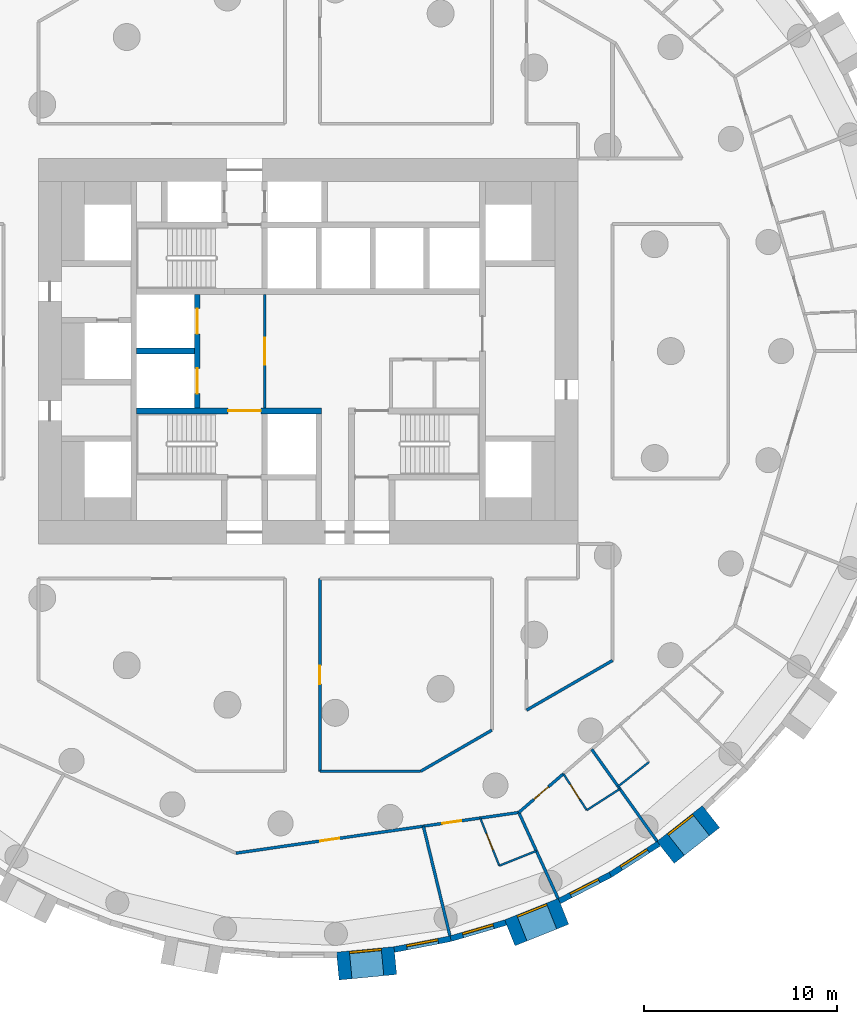
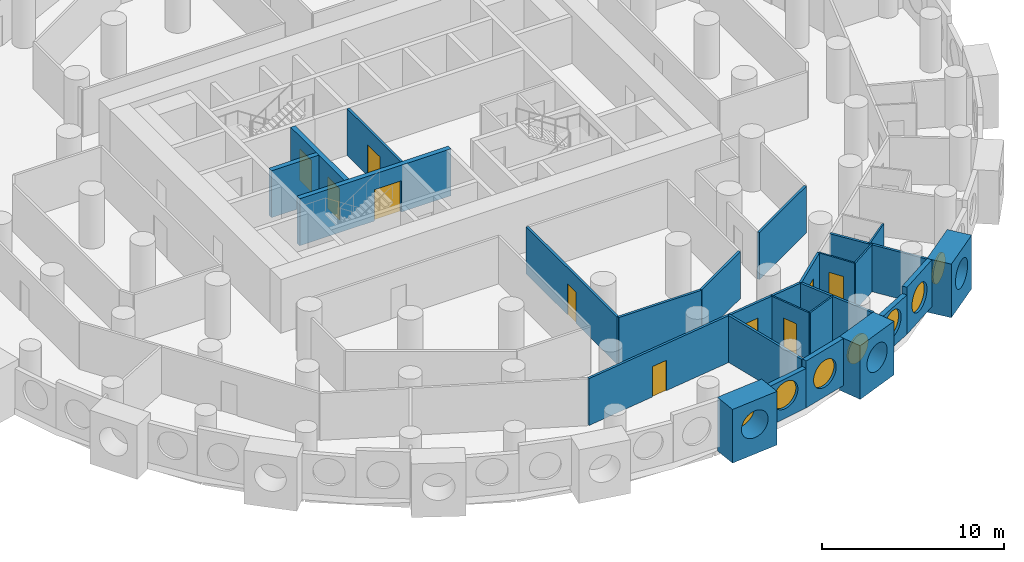
# One storey, part 4 of 12: 25 walls, 10 doors, 7 windows, 17 openings.
"""IFC4 building model written with IfcOpenShell, lengths in metres."""

from ifc_helpers import new_model, si_unit, direction, frame, frame_2d, origin, origin_2d, place, context, subcontext, project, spatial, rectangle, circle, extrude, material, layer, layer_set, type_object, element, fill, save


model = new_model("IFC4")

# Units and contexts
model_context = context("Model", 3, precision=1e-05, world=origin(), true_north=direction((0.0, 1.0)))
body_context = subcontext(model_context, "Body", "Model", "MODEL_VIEW")
ifc_project = project(units=[si_unit("LENGTHUNIT", "METRE"), si_unit("AREAUNIT", "SQUARE_METRE"), si_unit("VOLUMEUNIT", "CUBIC_METRE"), si_unit("PLANEANGLEUNIT", "RADIAN"), si_unit("MASSUNIT", "GRAM", prefix="KILO")], contexts=[model_context])

# Site, building, storey
site_placement = place(None, origin())
site = spatial("IfcSite", under=ifc_project, at=site_placement, CompositionType="ELEMENT")
building_placement = place(site_placement, origin())
building = spatial("IfcBuilding", under=site, at=building_placement, Name="Tracery Tower", CompositionType="ELEMENT")
storey_placement = place(building_placement, frame((0.0, 0.0, 78.60009765625)))
storey = spatial("IfcBuildingStorey", under=building, at=storey_placement, Name="L19", CompositionType="ELEMENT", Elevation=78.60009765625)

# Wall, opening, door
ifc_material_1 = material(Name="Plasterboard on steel studs", Category="steel")
ifc_layer_1 = layer(ifc_material_1, 0.14990234375)
ifc_layer_set_1 = layer_set([ifc_layer_1], Name="Core lobby partition 150")
wall_type_1 = type_object("IfcWallType", Name="Core lobby partition 150", PredefinedType="SOLIDWALL", material=ifc_layer_set_1)
wall_1_placement = place(storey_placement, frame((-2.25, -2.949951171875, 0.0), z_axis=(0.0, 0.0, 1.0), x_axis=(0.0, 1.0, 0.0)))
wall_1 = element("IfcWall", 1, at=wall_1_placement, inside=storey, type_object=wall_type_1, Name="L19 FF lobby E", PredefinedType="SOLIDWALL", context=body_context, shape_type="SweptSolid", body=[
    extrude(rectangle(XDim=5.89990234375, YDim=0.14990234375, at=frame_2d((2.949951171875, 0.0))), origin(), (0.0, 0.0, 1.0), 3.14990234375),
])
opening_1_placement = place(wall_1_placement, frame((2.25, 0.0, 0.0)))
opening_1 = element("IfcOpeningElement", 2, at=opening_1_placement, cuts=wall_1, Name="Opening KD8", PredefinedType="OPENING", context=body_context, shape_type="SweptSolid", body=[
    extrude(rectangle(XDim=1.39990234375, YDim=2.10009765625, at=frame_2d((0.699951171875, 1.050048828125))), frame((0.0, 0.074951171875, 0.0), z_axis=(0.0, -1.0, 0.0), x_axis=(1.0, 0.0, 0.0)), (0.0, 0.0, 1.0), 0.14990234375),
])
ifc_material_2 = material(Name="Steel fire door", Category="steel")
door_type_1 = type_object("IfcDoorType", Name="Core lobby door 1400 double", OperationType="NOTDEFINED", PredefinedType="DOOR", material=ifc_material_2)
door_1_placement = place(opening_1_placement, origin())
door_1 = element("IfcDoor", 3, at=door_1_placement, inside=storey, type_object=door_type_1, Name="Fire-fighting lobby door", OperationType="DOUBLE_DOOR_SINGLE_SWING", OverallHeight=2.10009765625, OverallWidth=1.39990234375, PredefinedType="DOOR", context=body_context, shape_type="SweptSolid", body=[
    extrude(rectangle(XDim=1.39990234375, YDim=2.10009765625, at=frame_2d((0.699951171875, 1.050048828125))), frame((0.0, 0.02490234375, 0.0), z_axis=(0.0, -1.0, 0.0), x_axis=(1.0, 0.0, 0.0)), (0.0, 0.0, 1.0), 0.050048828125),
])
fill(opening_1, door_1)

# Wall, opening, window
ifc_material_3 = material(Name="Precast concrete C50/60", Category="concrete")
ifc_layer_2 = layer(ifc_material_3, 1.449951171875)
ifc_layer_set_2 = layer_set([ifc_layer_2], Name="Deep-set bay unit 3000 x 3600, slab edge 450")
wall_type_2 = type_object("IfcWallType", Name="Deep-set bay unit 3000 x 3600, slab edge 450", PredefinedType="ELEMENTEDWALL", material=ifc_layer_set_2)
wall_2_placement = place(storey_placement, frame((1.540283203125, -31.911865234375, -0.4501953125), z_axis=(0.0, 0.0, 1.0), x_axis=(0.995472768558, 0.09504718333, 0.0)))
wall_2 = element("IfcWall", 4, at=wall_2_placement, inside=storey, type_object=wall_type_2, Name="Deep-set bay unit 51 at L19", PredefinedType="ELEMENTEDWALL", context=body_context, shape_type="SweptSolid", body=[
    extrude(rectangle(XDim=3.000244140625, YDim=1.449951171875, at=frame_2d((1.5, 0.0))), origin(), (0.0, 0.0, 1.0), 3.60009765625),
])
opening_2_placement = place(wall_2_placement, frame((1.5, 0.0, 2.0)))
opening_2 = element("IfcOpeningElement", 5, at=opening_2_placement, cuts=wall_2, Name="Opening WN1", PredefinedType="OPENING", context=body_context, shape_type="SweptSolid", body=[
    extrude(circle(Radius=0.9000244140625, at=origin_2d()), frame((0.0, 0.73486328125, 0.0), z_axis=(0.0, -1.0, 0.0), x_axis=(1.0, 0.0, 0.0)), (0.0, 0.0, 1.0), 1.469970703125),
])
ifc_material_4 = material(Name="Aluminium frame with tinted double glazing", Category="aluminium")
window_type = type_object("IfcWindowType", Name="Round window 1800", PartitioningType="SINGLE_PANEL", PredefinedType="WINDOW", material=ifc_material_4)
window_1_placement = place(opening_2_placement, origin())
window_1 = element("IfcWindow", 6, at=window_1_placement, inside=storey, type_object=window_type, Name="Round window 51 at L19", OverallHeight=1.800048828125, OverallWidth=1.800048828125, PartitioningType="SINGLE_PANEL", PredefinedType="WINDOW", context=body_context, shape_type="SweptSolid", body=[
    extrude(circle(Radius=0.9000244140625, at=origin_2d()), frame((0.0, 0.69482421875, 0.0), z_axis=(0.0, -1.0, 0.0), x_axis=(1.0, 0.0, 0.0)), (0.0, 0.0, 1.0), 0.10009765625),
])
fill(opening_2, window_1)

wall_3_placement = place(storey_placement, frame((10.46875, -30.185302734375, -0.4501953125), z_axis=(0.0, 0.0, 1.0), x_axis=(0.928358776184, 0.371685327504, 0.0)))
wall_3 = element("IfcWall", 7, at=wall_3_placement, inside=storey, type_object=wall_type_2, Name="Deep-set bay unit 54 at L19", PredefinedType="ELEMENTEDWALL", context=body_context, shape_type="SweptSolid", body=[
    extrude(rectangle(XDim=2.999755859375, YDim=1.449951171875, at=frame_2d((1.5, 0.0))), origin(), (0.0, 0.0, 1.0), 3.60009765625),
])
opening_3_placement = place(wall_3_placement, frame((1.5, 0.0, 2.0)))
opening_3 = element("IfcOpeningElement", 8, at=opening_3_placement, cuts=wall_3, Name="Opening WN1", PredefinedType="OPENING", context=body_context, shape_type="SweptSolid", body=[
    extrude(circle(Radius=0.9000244140625, at=origin_2d()), frame((0.0, 0.73486328125, 0.0), z_axis=(0.0, -1.0, 0.0), x_axis=(1.0, 0.0, 0.0)), (0.0, 0.0, 1.0), 1.469970703125),
])
window_2_placement = place(opening_3_placement, origin())
window_2 = element("IfcWindow", 9, at=window_2_placement, inside=storey, type_object=window_type, Name="Round window 54 at L19", OverallHeight=1.800048828125, OverallWidth=1.800048828125, PartitioningType="SINGLE_PANEL", PredefinedType="WINDOW", context=body_context, shape_type="SweptSolid", body=[
    extrude(circle(Radius=0.9000244140625, at=origin_2d()), frame((0.0, 0.69482421875, 0.0), z_axis=(0.0, -1.0, 0.0), x_axis=(1.0, 0.0, 0.0)), (0.0, 0.0, 1.0), 0.10009765625),
])
fill(opening_3, window_2)

wall_4_placement = place(storey_placement, frame((18.548828125, -26.01318359375, -0.4501953125), z_axis=(0.0, 0.0, 1.0), x_axis=(0.786049992888, 0.618162930529, 0.0)))
wall_4 = element("IfcWall", 10, at=wall_4_placement, inside=storey, type_object=wall_type_2, Name="Deep-set bay unit 57 at L19", PredefinedType="ELEMENTEDWALL", context=body_context, shape_type="SweptSolid", body=[
    extrude(rectangle(XDim=3.0, YDim=1.449951171875, at=frame_2d((1.5, 0.0))), origin(), (0.0, 0.0, 1.0), 3.60009765625),
])
opening_4_placement = place(wall_4_placement, frame((1.5, 0.0, 2.0)))
opening_4 = element("IfcOpeningElement", 11, at=opening_4_placement, cuts=wall_4, Name="Opening WN1", PredefinedType="OPENING", context=body_context, shape_type="SweptSolid", body=[
    extrude(circle(Radius=0.9000244140625, at=origin_2d()), frame((0.0, 0.73486328125, 0.0), z_axis=(0.0, -1.0, 0.0), x_axis=(1.0, 0.0, 0.0)), (0.0, 0.0, 1.0), 1.469970703125),
])
window_3_placement = place(opening_4_placement, origin())
window_3 = element("IfcWindow", 12, at=window_3_placement, inside=storey, type_object=window_type, Name="Round window 57 at L19", OverallHeight=1.800048828125, OverallWidth=1.800048828125, PartitioningType="SINGLE_PANEL", PredefinedType="WINDOW", context=body_context, shape_type="SweptSolid", body=[
    extrude(circle(Radius=0.9000244140625, at=origin_2d()), frame((0.0, 0.69482421875, 0.0), z_axis=(0.0, -1.0, 0.0), x_axis=(1.0, 0.0, 0.0)), (0.0, 0.0, 1.0), 0.10009765625),
])
fill(opening_4, window_3)

ifc_material_5 = material(Name="Precast concrete C50/60", Category="concrete")
ifc_layer_3 = layer(ifc_material_5, 0.300048828125)
ifc_layer_set_3 = layer_set([ifc_layer_3], Name="Facade panel 3000 x 2650")
wall_type_3 = type_object("IfcWallType", Name="Facade panel 3000 x 2650", PredefinedType="SOLIDWALL", material=ifc_layer_set_3)
wall_5_placement = place(storey_placement, frame((4.470947265625, -31.053955078125, 0.0), z_axis=(0.0, 0.0, 1.0), x_axis=(0.981924535406, 0.189272836848, 0.0)))
wall_5 = element("IfcWall", 13, at=wall_5_placement, inside=storey, type_object=wall_type_3, Name="Facade panel 52 at L19", PredefinedType="SOLIDWALL", context=body_context, shape_type="SweptSolid", body=[
    extrude(rectangle(XDim=2.979736328125, YDim=0.300048828125, at=frame_2d((1.48974609375, 0.0))), origin(), (0.0, 0.0, 1.0), 2.64990234375),
])
opening_5_placement = place(wall_5_placement, frame((1.48974609375, 0.0, 1.5498046875)))
opening_5 = element("IfcOpeningElement", 14, at=opening_5_placement, cuts=wall_5, Name="Opening WN1", PredefinedType="OPENING", context=body_context, shape_type="SweptSolid", body=[
    extrude(circle(Radius=0.9000244140625, at=origin_2d()), frame((0.0, 0.159912109375, 0.0), z_axis=(0.0, -1.0, 0.0), x_axis=(1.0, 0.0, 0.0)), (0.0, 0.0, 1.0), 0.320068359375),
])
window_4_placement = place(opening_5_placement, origin())
window_4 = element("IfcWindow", 15, at=window_4_placement, inside=storey, type_object=window_type, Name="Round window 52 at L19", OverallHeight=1.800048828125, OverallWidth=1.800048828125, PartitioningType="SINGLE_PANEL", PredefinedType="WINDOW", context=body_context, shape_type="SweptSolid", body=[
    extrude(circle(Radius=0.9000244140625, at=origin_2d()), frame((0.0, 0.1201171875, 0.0), z_axis=(0.0, -1.0, 0.0), x_axis=(1.0, 0.0, 0.0)), (0.0, 0.0, 1.0), 0.10009765625),
])
fill(opening_5, window_4)

wall_6_placement = place(storey_placement, frame((13.038818359375, -28.536376953125, 0.0), z_axis=(0.0, 0.0, 1.0), x_axis=(0.888853225096, 0.4581920386, 0.0)))
wall_6 = element("IfcWall", 16, at=wall_6_placement, inside=storey, type_object=wall_type_3, Name="Facade panel 55 at L19", PredefinedType="SOLIDWALL", context=body_context, shape_type="SweptSolid", body=[
    extrude(rectangle(XDim=2.9794921875, YDim=0.300048828125, at=frame_2d((1.48974609375, 0.0))), origin(), (0.0, 0.0, 1.0), 2.64990234375),
])
opening_6_placement = place(wall_6_placement, frame((1.48974609375, 0.0, 1.5498046875)))
opening_6 = element("IfcOpeningElement", 17, at=opening_6_placement, cuts=wall_6, Name="Opening WN1", PredefinedType="OPENING", context=body_context, shape_type="SweptSolid", body=[
    extrude(circle(Radius=0.9000244140625, at=origin_2d()), frame((0.0, 0.159912109375, 0.0), z_axis=(0.0, -1.0, 0.0), x_axis=(1.0, 0.0, 0.0)), (0.0, 0.0, 1.0), 0.320068359375),
])
window_5_placement = place(opening_6_placement, origin())
window_5 = element("IfcWindow", 18, at=window_5_placement, inside=storey, type_object=window_type, Name="Round window 55 at L19", OverallHeight=1.800048828125, OverallWidth=1.800048828125, PartitioningType="SINGLE_PANEL", PredefinedType="WINDOW", context=body_context, shape_type="SweptSolid", body=[
    extrude(circle(Radius=0.9000244140625, at=origin_2d()), frame((0.0, 0.1201171875, 0.0), z_axis=(0.0, -1.0, 0.0), x_axis=(1.0, 0.0, 0.0)), (0.0, 0.0, 1.0), 0.10009765625),
])
fill(opening_6, window_5)

ifc_material_6 = material(Name="Precast concrete C50/60", Category="concrete")
ifc_layer_4 = layer(ifc_material_6, 0.300048828125)
ifc_layer_set_4 = layer_set([ifc_layer_4], Name="Facade panel 3000 x 3150")
wall_type_4 = type_object("IfcWallType", Name="Facade panel 3000 x 3150", PredefinedType="SOLIDWALL", material=ifc_layer_set_4)
wall_7_placement = place(storey_placement, frame((7.396728515625, -30.489990234375, 0.0), z_axis=(0.0, 0.0, 1.0), x_axis=(0.959507586834, 0.28168278401, 0.0)))
wall_7 = element("IfcWall", 19, at=wall_7_placement, inside=storey, type_object=wall_type_4, Name="Facade panel 53 at L19", PredefinedType="SOLIDWALL", context=body_context, shape_type="SweptSolid", body=[
    extrude(rectangle(XDim=2.979736328125, YDim=0.300048828125, at=frame_2d((1.48974609375, 0.0))), origin(), (0.0, 0.0, 1.0), 3.14990234375),
])
opening_7_placement = place(wall_7_placement, frame((1.48974609375, 0.0, 1.5498046875)))
opening_7 = element("IfcOpeningElement", 20, at=opening_7_placement, cuts=wall_7, Name="Opening WN1", PredefinedType="OPENING", context=body_context, shape_type="SweptSolid", body=[
    extrude(circle(Radius=0.9000244140625, at=origin_2d()), frame((0.0, 0.159912109375, 0.0), z_axis=(0.0, -1.0, 0.0), x_axis=(1.0, 0.0, 0.0)), (0.0, 0.0, 1.0), 0.320068359375),
])
window_6_placement = place(opening_7_placement, origin())
window_6 = element("IfcWindow", 21, at=window_6_placement, inside=storey, type_object=window_type, Name="Round window 53 at L19", OverallHeight=1.800048828125, OverallWidth=1.800048828125, PartitioningType="SINGLE_PANEL", PredefinedType="WINDOW", context=body_context, shape_type="SweptSolid", body=[
    extrude(circle(Radius=0.9000244140625, at=origin_2d()), frame((0.0, 0.1201171875, 0.0), z_axis=(0.0, -1.0, 0.0), x_axis=(1.0, 0.0, 0.0)), (0.0, 0.0, 1.0), 0.10009765625),
])
fill(opening_7, window_6)

wall_8_placement = place(storey_placement, frame((15.687255859375, -27.171142578125, 0.0), z_axis=(0.0, 0.0, 1.0), x_axis=(0.84122372879, 0.540687190639, 0.0)))
wall_8 = element("IfcWall", 22, at=wall_8_placement, inside=storey, type_object=wall_type_4, Name="Facade panel 56 at L19", PredefinedType="SOLIDWALL", context=body_context, shape_type="SweptSolid", body=[
    extrude(rectangle(XDim=2.979736328125, YDim=0.300048828125, at=frame_2d((1.48974609375, 0.0))), origin(), (0.0, 0.0, 1.0), 3.14990234375),
])
opening_8_placement = place(wall_8_placement, frame((1.48974609375, 0.0, 1.5498046875)))
opening_8 = element("IfcOpeningElement", 23, at=opening_8_placement, cuts=wall_8, Name="Opening WN1", PredefinedType="OPENING", context=body_context, shape_type="SweptSolid", body=[
    extrude(circle(Radius=0.9000244140625, at=origin_2d()), frame((0.0, 0.159912109375, 0.0), z_axis=(0.0, -1.0, 0.0), x_axis=(1.0, 0.0, 0.0)), (0.0, 0.0, 1.0), 0.320068359375),
])
window_7_placement = place(opening_8_placement, origin())
window_7 = element("IfcWindow", 24, at=window_7_placement, inside=storey, type_object=window_type, Name="Round window 56 at L19", OverallHeight=1.800048828125, OverallWidth=1.800048828125, PartitioningType="SINGLE_PANEL", PredefinedType="WINDOW", context=body_context, shape_type="SweptSolid", body=[
    extrude(circle(Radius=0.9000244140625, at=origin_2d()), frame((0.0, 0.1201171875, 0.0), z_axis=(0.0, -1.0, 0.0), x_axis=(1.0, 0.0, 0.0)), (0.0, 0.0, 1.0), 0.10009765625),
])
fill(opening_8, window_7)

# Wall, opening, door
ifc_material_7 = material(Name="Plasterboard on steel studs", Category="steel")
ifc_layer_5 = layer(ifc_material_7, 0.10009765625)
ifc_layer_set_5 = layer_set([ifc_layer_5], Name="Partition 100 wet wall")
wall_type_5 = type_object("IfcWallType", Name="Partition 100 wet wall", PredefinedType="PARTITIONING", material=ifc_layer_set_5)
wall_9_placement = place(storey_placement, frame((8.929931640625, -24.22802734375, 0.0), z_axis=(0.0, 0.0, 1.0), x_axis=(0.371564281805, -0.928407229876, 0.0)))
wall_9 = element("IfcWall", 25, at=wall_9_placement, inside=storey, type_object=wall_type_5, Name="Wet wall RA5-087", PredefinedType="PARTITIONING", context=body_context, shape_type="SweptSolid", body=[
    extrude(rectangle(XDim=2.6669921875, YDim=0.10009765625, at=frame_2d((1.33349609375, 0.0))), origin(), (0.0, 0.0, 1.0), 3.14990234375),
])
opening_9_placement = place(wall_9_placement, frame((0.883056640625, 0.0, 0.0)))
opening_9 = element("IfcOpeningElement", 26, at=opening_9_placement, cuts=wall_9, Name="Opening RA5-31", PredefinedType="OPENING", context=body_context, shape_type="SweptSolid", body=[
    extrude(rectangle(XDim=0.89990234375, YDim=2.0400390625, at=frame_2d((0.449951171875, 1.02001953125))), frame((0.0, 0.050048828125, 0.0), z_axis=(0.0, -1.0, 0.0), x_axis=(1.0, 0.0, 0.0)), (0.0, 0.0, 1.0), 0.10009765625),
])
ifc_material_8 = material(Name="Timber door leaf", Category="wood")
door_type_2 = type_object("IfcDoorType", Name="Door en-suite 900", OperationType="NOTDEFINED", PredefinedType="DOOR", material=ifc_material_8)
door_2_placement = place(opening_9_placement, origin())
door_2 = element("IfcDoor", 27, at=door_2_placement, inside=storey, type_object=door_type_2, Name="En-suite door RA5-31", OperationType="SINGLE_SWING_LEFT", OverallHeight=2.0400390625, OverallWidth=0.89990234375, PredefinedType="DOOR", context=body_context, shape_type="SweptSolid", body=[
    extrude(rectangle(XDim=0.89990234375, YDim=2.0400390625, at=frame_2d((0.449951171875, 1.02001953125))), frame((0.0, 0.02490234375, 0.0), z_axis=(0.0, -1.0, 0.0), x_axis=(1.0, 0.0, 0.0)), (0.0, 0.0, 1.0), 0.050048828125),
])
fill(opening_9, door_2)

# Wall
wall_10_placement = place(storey_placement, frame((9.9208984375, -26.7041015625, 0.0), z_axis=(0.0, 0.0, 1.0), x_axis=(0.928346586681, 0.37171577179, 0.0)))
element("IfcWall", 28, at=wall_10_placement, inside=storey, type_object=wall_type_5, Name="Wet wall RA5-088", PredefinedType="PARTITIONING", context=body_context, shape_type="SweptSolid", body=[
    extrude(rectangle(XDim=2.071533203125, YDim=0.10009765625, at=frame_2d((1.03564453125, 0.0))), origin(), (0.0, 0.0, 1.0), 3.14990234375),
])

# Wall, opening, door
wall_11_placement = place(storey_placement, frame((13.248046875, -21.93505859375, 0.0), z_axis=(0.0, 0.0, 1.0), x_axis=(0.540597960994, -0.841281073464, 0.0)))
wall_11 = element("IfcWall", 29, at=wall_11_placement, inside=storey, type_object=wall_type_5, Name="Wet wall RA5-090", PredefinedType="PARTITIONING", context=body_context, shape_type="SweptSolid", body=[
    extrude(rectangle(XDim=2.24169921875, YDim=0.10009765625, at=frame_2d((1.120849609375, 0.0))), origin(), (0.0, 0.0, 1.0), 3.14990234375),
])
opening_10_placement = place(wall_11_placement, frame((0.6708984375, 0.0, 0.0)))
opening_10 = element("IfcOpeningElement", 30, at=opening_10_placement, cuts=wall_11, Name="Opening RA5-33", PredefinedType="OPENING", context=body_context, shape_type="SweptSolid", body=[
    extrude(rectangle(XDim=0.89990234375, YDim=2.0400390625, at=frame_2d((0.449951171875, 1.02001953125))), frame((0.0, 0.050048828125, 0.0), z_axis=(0.0, -1.0, 0.0), x_axis=(1.0, 0.0, 0.0)), (0.0, 0.0, 1.0), 0.10009765625),
])
door_3_placement = place(opening_10_placement, origin())
door_3 = element("IfcDoor", 31, at=door_3_placement, inside=storey, type_object=door_type_2, Name="En-suite door RA5-33", OperationType="SINGLE_SWING_RIGHT", OverallHeight=2.0400390625, OverallWidth=0.89990234375, PredefinedType="DOOR", context=body_context, shape_type="SweptSolid", body=[
    extrude(rectangle(XDim=0.89990234375, YDim=2.0400390625, at=frame_2d((0.449951171875, 1.02001953125))), frame((0.0, 0.02490234375, 0.0), z_axis=(0.0, -1.0, 0.0), x_axis=(1.0, 0.0, 0.0)), (0.0, 0.0, 1.0), 0.050048828125),
])
fill(opening_10, door_3)

# Walls
wall_12_placement = place(storey_placement, frame((14.4599609375, -23.821044921875, 0.0), z_axis=(0.0, 0.0, 1.0), x_axis=(0.841135728185, 0.540824081168, 0.0)))
element("IfcWall", 32, at=wall_12_placement, inside=storey, type_object=wall_type_5, Name="Wet wall RA5-091", PredefinedType="PARTITIONING", context=body_context, shape_type="SweptSolid", body=[
    extrude(rectangle(XDim=2.041259765625, YDim=0.10009765625, at=frame_2d((1.0205078125, 0.0))), origin(), (0.0, 0.0, 1.0), 3.14990234375),
])
wall_13_placement = place(storey_placement, frame((16.0859375, -22.589111328125, 0.0), z_axis=(0.0, 0.0, 1.0), x_axis=(0.785984904201, 0.618245687707, 0.0)))
element("IfcWall", 33, at=wall_13_placement, inside=storey, type_object=wall_type_5, Name="Wet wall RA5-093", PredefinedType="PARTITIONING", context=body_context, shape_type="SweptSolid", body=[
    extrude(rectangle(XDim=2.033203125, YDim=0.10009765625, at=frame_2d((1.0166015625, 0.0))), origin(), (0.0, 0.0, 1.0), 3.14990234375),
])
ifc_material_9 = material(Name="Plasterboard on steel studs", Category="steel")
ifc_layer_6 = layer(ifc_material_9, 0.14990234375)
ifc_layer_set_6 = layer_set([ifc_layer_6], Name="Partition 150 acoustic unit wall")
wall_type_6 = type_object("IfcWallType", Name="Partition 150 acoustic unit wall", PredefinedType="PARTITIONING", material=ifc_layer_set_6)
wall_14_placement = place(storey_placement, frame((5.98095703125, -24.652099609375, 0.0), z_axis=(0.0, 0.0, 1.0), x_axis=(0.235644168604, -0.971839403298, 0.0)))
element("IfcWall", 34, at=wall_14_placement, inside=storey, type_object=wall_type_6, Name="Unit wall RA5-086", PredefinedType="PARTITIONING", context=body_context, shape_type="SweptSolid", body=[
    extrude(rectangle(XDim=5.85693359375, YDim=0.14990234375, at=frame_2d((2.928466796875, 0.0))), origin(), (0.0, 0.0, 1.0), 3.14990234375),
])
wall_15_placement = place(storey_placement, frame((10.93359375, -23.939697265625, 0.0), z_axis=(0.0, 0.0, 1.0), x_axis=(0.415245800153, -0.909709253254, 0.0)))
element("IfcWall", 35, at=wall_15_placement, inside=storey, type_object=wall_type_6, Name="Unit wall RA5-089", PredefinedType="PARTITIONING", context=body_context, shape_type="SweptSolid", body=[
    extrude(rectangle(XDim=4.906494140625, YDim=0.14990234375, at=frame_2d((2.453125, 0.0))), origin(), (0.0, 0.0, 1.0), 3.14990234375),
])
wall_16_placement = place(storey_placement, frame((14.71533203125, -20.663818359375, 0.0), z_axis=(0.0, 0.0, 1.0), x_axis=(0.57995989616, -0.814645026282, 0.0)))
element("IfcWall", 36, at=wall_16_placement, inside=storey, type_object=wall_type_6, Name="Unit wall RA5-092", PredefinedType="PARTITIONING", context=body_context, shape_type="SweptSolid", body=[
    extrude(rectangle(XDim=5.85693359375, YDim=0.14990234375, at=frame_2d((2.928466796875, 0.0))), origin(), (0.0, 0.0, 1.0), 3.14990234375),
])

# Wall, opening, door
ifc_material_10 = material(Name="Plasterboard on steel studs", Category="steel")
ifc_layer_7 = layer(ifc_material_10, 0.14990234375)
ifc_layer_set_7 = layer_set([ifc_layer_7], Name="Partition 150 corridor wall")
wall_type_7 = type_object("IfcWallType", Name="Partition 150 corridor wall", PredefinedType="PARTITIONING", material=ifc_layer_set_7)
wall_17_placement = place(storey_placement, frame((0.60791015625, -21.802001953125, 0.0), z_axis=(0.0, 0.0, 1.0), x_axis=(0.0, 1.0, 0.0)))
wall_17 = element("IfcWall", 37, at=wall_17_placement, inside=storey, type_object=wall_type_7, Name="Corridor wall RA5-048", PredefinedType="PARTITIONING", context=body_context, shape_type="SweptSolid", body=[
    extrude(rectangle(XDim=10.001953125, YDim=0.14990234375, at=frame_2d((5.0009765625, 0.0))), origin(), (0.0, 0.0, 1.0), 3.14990234375),
])
opening_11_placement = place(wall_17_placement, frame((4.52587890625, 0.0, 0.0)))
opening_11 = element("IfcOpeningElement", 38, at=opening_11_placement, cuts=wall_17, Name="Opening RA5-05", PredefinedType="OPENING", context=body_context, shape_type="SweptSolid", body=[
    extrude(rectangle(XDim=0.949951171875, YDim=2.10009765625, at=frame_2d((0.47509765625, 1.050048828125))), frame((0.0, 0.074951171875, 0.0), z_axis=(0.0, -1.0, 0.0), x_axis=(1.0, 0.0, 0.0)), (0.0, 0.0, 1.0), 0.14990234375),
])
ifc_material_11 = material(Name="Timber door leaf", Category="wood")
door_type_3 = type_object("IfcDoorType", Name="Door store 950", OperationType="NOTDEFINED", PredefinedType="DOOR", material=ifc_material_11)
door_4_placement = place(opening_11_placement, origin())
door_4 = element("IfcDoor", 39, at=door_4_placement, inside=storey, type_object=door_type_3, Name="Store door RA5-05", OperationType="SINGLE_SWING_RIGHT", OverallHeight=2.10009765625, OverallWidth=0.949951171875, PredefinedType="DOOR", context=body_context, shape_type="SweptSolid", body=[
    extrude(rectangle(XDim=0.949951171875, YDim=2.10009765625, at=frame_2d((0.47509765625, 1.050048828125))), frame((0.0, 0.02490234375, 0.0), z_axis=(0.0, -1.0, 0.0), x_axis=(1.0, 0.0, 0.0)), (0.0, 0.0, 1.0), 0.050048828125),
])
fill(opening_11, door_4)

# Walls
wall_18_placement = place(storey_placement, frame((0.60791015625, -21.802001953125, 0.0), z_axis=(0.0, 0.0, 1.0), x_axis=(1.0, 0.0, 0.0)))
element("IfcWall", 40, at=wall_18_placement, inside=storey, type_object=wall_type_7, Name="Corridor wall RA5-049", PredefinedType="PARTITIONING", context=body_context, shape_type="SweptSolid", body=[
    extrude(rectangle(XDim=5.234130859375, YDim=0.14990234375, at=frame_2d((2.6171875, 0.0))), origin(), (0.0, 0.0, 1.0), 3.14990234375),
])
wall_19_placement = place(storey_placement, frame((5.842041015625, -21.802001953125, 0.0), z_axis=(0.0, 0.0, 1.0), x_axis=(0.865983505205, 0.500072563448, 0.0)))
element("IfcWall", 41, at=wall_19_placement, inside=storey, type_object=wall_type_7, Name="Corridor wall RA5-050", PredefinedType="PARTITIONING", context=body_context, shape_type="SweptSolid", body=[
    extrude(rectangle(XDim=4.265380859375, YDim=0.14990234375, at=frame_2d((2.1328125, 0.0))), origin(), (0.0, 0.0, 1.0), 3.14990234375),
])
wall_20_placement = place(storey_placement, frame((11.3359375, -18.6298828125, 0.0), z_axis=(0.0, 0.0, 1.0), x_axis=(0.866063337164, 0.499934291702, 0.0)))
element("IfcWall", 42, at=wall_20_placement, inside=storey, type_object=wall_type_7, Name="Corridor wall RA5-053", PredefinedType="PARTITIONING", context=body_context, shape_type="SweptSolid", body=[
    extrude(rectangle(XDim=5.154541015625, YDim=0.14990234375, at=frame_2d((2.5771484375, 0.0))), origin(), (0.0, 0.0, 1.0), 3.14990234375),
])

# Wall, openings, doors
wall_21_placement = place(storey_placement, frame((-3.74609375, -26.051025390625, 0.0), z_axis=(0.0, 0.0, 1.0), x_axis=(0.989823328782, 0.142301713967, 0.0)))
wall_21 = element("IfcWall", 43, at=wall_21_placement, inside=storey, type_object=wall_type_7, Name="Corridor wall RA5-055", PredefinedType="PARTITIONING", context=body_context, shape_type="SweptSolid", body=[
    extrude(rectangle(XDim=14.830078125, YDim=0.14990234375, at=frame_2d((7.4150390625, 0.0))), origin(), (0.0, 0.0, 1.0), 3.14990234375),
])
opening_12_placement = place(wall_21_placement, frame((4.4150390625, 0.0, 0.0)))
opening_12 = element("IfcOpeningElement", 44, at=opening_12_placement, cuts=wall_21, Name="Opening RA5-30", PredefinedType="OPENING", context=body_context, shape_type="SweptSolid", body=[
    extrude(rectangle(XDim=1.0, YDim=2.0400390625, at=frame_2d((0.5, 1.02001953125))), frame((0.0, 0.074951171875, 0.0), z_axis=(0.0, -1.0, 0.0), x_axis=(1.0, 0.0, 0.0)), (0.0, 0.0, 1.0), 0.14990234375),
])
opening_13_placement = place(wall_21_placement, frame((10.81640625, 0.0, 0.0)))
opening_13 = element("IfcOpeningElement", 45, at=opening_13_placement, cuts=wall_21, Name="Opening RA5-32", PredefinedType="OPENING", context=body_context, shape_type="SweptSolid", body=[
    extrude(rectangle(XDim=1.0, YDim=2.10009765625, at=frame_2d((0.5, 1.050048828125))), frame((0.0, 0.074951171875, 0.0), z_axis=(0.0, -1.0, 0.0), x_axis=(1.0, 0.0, 0.0)), (0.0, 0.0, 1.0), 0.14990234375),
])
ifc_material_12 = material(Name="Timber door leaf", Category="wood")
door_type_4 = type_object("IfcDoorType", Name="Door communal room 1000", OperationType="NOTDEFINED", PredefinedType="DOOR", material=ifc_material_12)
door_5_placement = place(opening_12_placement, origin())
door_5 = element("IfcDoor", 46, at=door_5_placement, inside=storey, type_object=door_type_4, Name="Communal room door RA5-30", OperationType="SINGLE_SWING_RIGHT", OverallHeight=2.0400390625, OverallWidth=1.0, PredefinedType="DOOR", context=body_context, shape_type="SweptSolid", body=[
    extrude(rectangle(XDim=1.0, YDim=2.0400390625, at=frame_2d((0.5, 1.02001953125))), frame((0.0, 0.02490234375, 0.0), z_axis=(0.0, -1.0, 0.0), x_axis=(1.0, 0.0, 0.0)), (0.0, 0.0, 1.0), 0.050048828125),
])
fill(opening_12, door_5)
ifc_material_13 = material(Name="Timber door leaf", Category="wood")
door_type_5 = type_object("IfcDoorType", Name="Door unit entrance 1000", OperationType="NOTDEFINED", PredefinedType="DOOR", material=ifc_material_13)
door_6_placement = place(opening_13_placement, origin())
door_6 = element("IfcDoor", 47, at=door_6_placement, inside=storey, type_object=door_type_5, Name="Unit entrance door RA5-32", OperationType="SINGLE_SWING_RIGHT", OverallHeight=2.10009765625, OverallWidth=1.0, PredefinedType="DOOR", context=body_context, shape_type="SweptSolid", body=[
    extrude(rectangle(XDim=1.0, YDim=2.10009765625, at=frame_2d((0.5, 1.050048828125))), frame((0.0, 0.02490234375, 0.0), z_axis=(0.0, -1.0, 0.0), x_axis=(1.0, 0.0, 0.0)), (0.0, 0.0, 1.0), 0.050048828125),
])
fill(opening_13, door_6)

# Wall, opening, door
wall_22_placement = place(storey_placement, frame((10.93310546875, -23.93994140625, 0.0), z_axis=(0.0, 0.0, 1.0), x_axis=(0.755675945931, 0.654945696025, 0.0)))
wall_22 = element("IfcWall", 48, at=wall_22_placement, inside=storey, type_object=wall_type_7, Name="Corridor wall RA5-056", PredefinedType="PARTITIONING", context=body_context, shape_type="SweptSolid", body=[
    extrude(rectangle(XDim=3.06591796875, YDim=0.14990234375, at=frame_2d((1.532958984375, 0.0))), origin(), (0.0, 0.0, 1.0), 3.14990234375),
])
opening_14_placement = place(wall_22_placement, frame((1.032958984375, 0.0, 0.0)))
opening_14 = element("IfcOpeningElement", 49, at=opening_14_placement, cuts=wall_22, Name="Opening RA5-34", PredefinedType="OPENING", context=body_context, shape_type="SweptSolid", body=[
    extrude(rectangle(XDim=1.0, YDim=2.10009765625, at=frame_2d((0.5, 1.050048828125))), frame((0.0, 0.074951171875, 0.0), z_axis=(0.0, -1.0, 0.0), x_axis=(1.0, 0.0, 0.0)), (0.0, 0.0, 1.0), 0.14990234375),
])
door_7_placement = place(opening_14_placement, origin())
door_7 = element("IfcDoor", 50, at=door_7_placement, inside=storey, type_object=door_type_5, Name="Unit entrance door RA5-34", OperationType="SINGLE_SWING_LEFT", OverallHeight=2.10009765625, OverallWidth=1.0, PredefinedType="DOOR", context=body_context, shape_type="SweptSolid", body=[
    extrude(rectangle(XDim=1.0, YDim=2.10009765625, at=frame_2d((0.5, 1.050048828125))), frame((0.0, 0.02490234375, 0.0), z_axis=(0.0, -1.0, 0.0), x_axis=(1.0, 0.0, 0.0)), (0.0, 0.0, 1.0), 0.050048828125),
])
fill(opening_14, door_7)

# Wall
ifc_material_14 = material(Name="Concrete C60/75", Category="concrete")
ifc_layer_8 = layer(ifc_material_14, 0.300048828125)
ifc_layer_set_8 = layer_set([ifc_layer_8], Name="Shaft wall 300 C60")
wall_type_8 = type_object("IfcWallType", Name="Shaft wall 300 C60", PredefinedType="SOLIDWALL", material=ifc_layer_set_8)
wall_23_placement = place(storey_placement, frame((-8.89990234375, 0.0, 0.0), z_axis=(0.0, 0.0, 1.0), x_axis=(1.0, 0.0, 0.0)))
element("IfcWall", 51, at=wall_23_placement, inside=storey, type_object=wall_type_8, Name="L19 FF split", PredefinedType="SOLIDWALL", context=body_context, shape_type="SweptSolid", body=[
    extrude(rectangle(XDim=3.0, YDim=0.300048828125, at=frame_2d((1.5, 0.0))), origin(), (0.0, 0.0, 1.0), 3.14990234375),
])

# Wall, openings, doors
wall_24_placement = place(storey_placement, frame((-5.75, -2.949951171875, 0.0), z_axis=(0.0, 0.0, 1.0), x_axis=(0.0, 1.0, 0.0)))
wall_24 = element("IfcWall", 52, at=wall_24_placement, inside=storey, type_object=wall_type_8, Name="L19 FF doors", PredefinedType="SOLIDWALL", context=body_context, shape_type="SweptSolid", body=[
    extrude(rectangle(XDim=5.89990234375, YDim=0.300048828125, at=frame_2d((2.949951171875, 0.0))), origin(), (0.0, 0.0, 1.0), 3.14990234375),
])
opening_15_placement = place(wall_24_placement, frame((0.75, 0.0, 0.0)))
opening_15 = element("IfcOpeningElement", 53, at=opening_15_placement, cuts=wall_24, Name="Opening KD54", PredefinedType="OPENING", context=body_context, shape_type="SweptSolid", body=[
    extrude(rectangle(XDim=1.300048828125, YDim=2.10009765625, at=frame_2d((0.64990234375, 1.050048828125))), frame((0.0, 0.14990234375, 0.0), z_axis=(0.0, -1.0, 0.0), x_axis=(1.0, 0.0, 0.0)), (0.0, 0.0, 1.0), 0.300048828125),
])
opening_16_placement = place(wall_24_placement, frame((3.85009765625, 0.0, 0.0)))
opening_16 = element("IfcOpeningElement", 54, at=opening_16_placement, cuts=wall_24, Name="Opening KD55", PredefinedType="OPENING", context=body_context, shape_type="SweptSolid", body=[
    extrude(rectangle(XDim=1.300048828125, YDim=2.10009765625, at=frame_2d((0.64990234375, 1.050048828125))), frame((0.0, 0.14990234375, 0.0), z_axis=(0.0, -1.0, 0.0), x_axis=(1.0, 0.0, 0.0)), (0.0, 0.0, 1.0), 0.300048828125),
])
ifc_material_15 = material(Name="Steel fire door", Category="steel")
door_type_6 = type_object("IfcDoorType", Name="Landing door FF 1300", OperationType="NOTDEFINED", PredefinedType="DOOR", material=ifc_material_15)
door_8_placement = place(opening_15_placement, origin())
door_8 = element("IfcDoor", 55, at=door_8_placement, inside=storey, type_object=door_type_6, Name="Landing door FF1", OperationType="SLIDING_TO_LEFT", OverallHeight=2.10009765625, OverallWidth=1.300048828125, PredefinedType="DOOR", context=body_context, shape_type="SweptSolid", body=[
    extrude(rectangle(XDim=1.300048828125, YDim=2.10009765625, at=frame_2d((0.64990234375, 1.050048828125))), frame((0.0, 0.02490234375, 0.0), z_axis=(0.0, -1.0, 0.0), x_axis=(1.0, 0.0, 0.0)), (0.0, 0.0, 1.0), 0.050048828125),
])
fill(opening_15, door_8)
door_9_placement = place(opening_16_placement, origin())
door_9 = element("IfcDoor", 56, at=door_9_placement, inside=storey, type_object=door_type_6, Name="Landing door FF2", OperationType="SLIDING_TO_RIGHT", OverallHeight=2.10009765625, OverallWidth=1.300048828125, PredefinedType="DOOR", context=body_context, shape_type="SweptSolid", body=[
    extrude(rectangle(XDim=1.300048828125, YDim=2.10009765625, at=frame_2d((0.64990234375, 1.050048828125))), frame((0.0, 0.02490234375, 0.0), z_axis=(0.0, -1.0, 0.0), x_axis=(1.0, 0.0, 0.0)), (0.0, 0.0, 1.0), 0.050048828125),
])
fill(opening_16, door_9)

# Wall, opening, door
ifc_material_16 = material(Name="Concrete C60/75", Category="concrete")
ifc_layer_9 = layer(ifc_material_16, 0.300048828125)
ifc_layer_set_9 = layer_set([ifc_layer_9], Name="Stair wall 300 C60")
wall_type_9 = type_object("IfcWallType", Name="Stair wall 300 C60", PredefinedType="SOLIDWALL", material=ifc_layer_set_9)
wall_25_placement = place(storey_placement, frame((-8.89990234375, -3.10009765625, 0.0), z_axis=(0.0, 0.0, 1.0), x_axis=(1.0, 0.0, 0.0)))
wall_25 = element("IfcWall", 57, at=wall_25_placement, inside=storey, type_object=wall_type_9, Name="L19 row S", PredefinedType="SOLIDWALL", context=body_context, shape_type="SweptSolid", body=[
    extrude(rectangle(XDim=9.599853515625, YDim=0.300048828125, at=frame_2d((4.7998046875, 0.0))), origin(), (0.0, 0.0, 1.0), 3.14990234375),
])
opening_17_placement = place(wall_25_placement, frame((4.75, 0.0, 0.0)))
opening_17 = element("IfcOpeningElement", 58, at=opening_17_placement, cuts=wall_25, Name="Opening KD3", PredefinedType="OPENING", context=body_context, shape_type="SweptSolid", body=[
    extrude(rectangle(XDim=1.699951171875, YDim=2.10009765625, at=frame_2d((0.85009765625, 1.050048828125))), frame((0.0, 0.14990234375, 0.0), z_axis=(0.0, -1.0, 0.0), x_axis=(1.0, 0.0, 0.0)), (0.0, 0.0, 1.0), 0.300048828125),
])
ifc_material_17 = material(Name="Steel fire door", Category="steel")
door_type_7 = type_object("IfcDoorType", Name="Core stair door 1700 double", OperationType="NOTDEFINED", PredefinedType="DOOR", material=ifc_material_17)
door_10_placement = place(opening_17_placement, origin())
door_10 = element("IfcDoor", 59, at=door_10_placement, inside=storey, type_object=door_type_7, Name="Stair door ST1", OperationType="DOUBLE_DOOR_SINGLE_SWING", OverallHeight=2.10009765625, OverallWidth=1.699951171875, PredefinedType="DOOR", context=body_context, shape_type="SweptSolid", body=[
    extrude(rectangle(XDim=1.699951171875, YDim=2.10009765625, at=frame_2d((0.85009765625, 1.050048828125))), frame((0.0, 0.02490234375, 0.0), z_axis=(0.0, -1.0, 0.0), x_axis=(1.0, 0.0, 0.0)), (0.0, 0.0, 1.0), 0.050048828125),
])
fill(opening_17, door_10)

save(model, "model.ifc")
